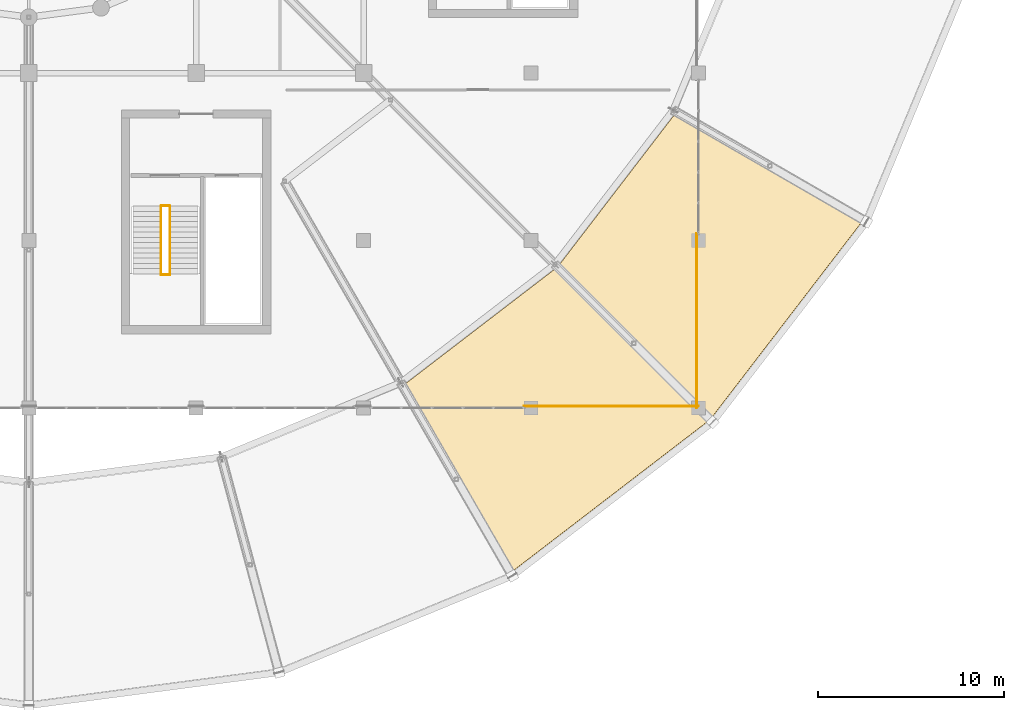
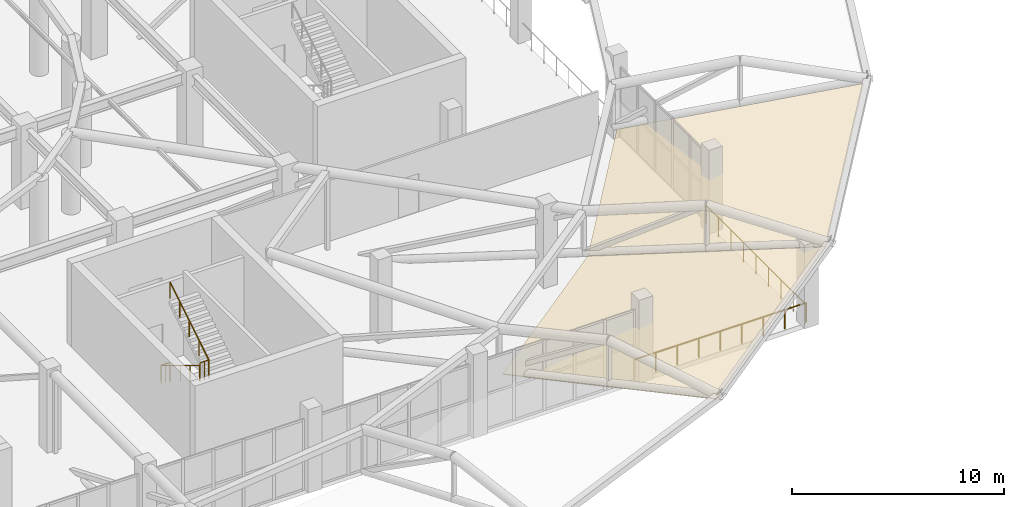
# One storey, part 153 of 167: 6 railings, 2 coverings.
"""IFC4 building model written with IfcOpenShell, lengths in metres."""

from ifc_helpers import new_model, si_unit, direction, frame, origin, origin_2d, place, context, subcontext, project, spatial, polyline, circle, outline, extrude, material, layer, layer_set, type_object, element, save


model = new_model("IFC4")

# Units and contexts
model_context = context("Model", 3, precision=1e-05, world=origin(), true_north=direction((0.0, 1.0)))
body_context = subcontext(model_context, "Body", "Model", "MODEL_VIEW")
ifc_project = project(units=[si_unit("LENGTHUNIT", "METRE"), si_unit("AREAUNIT", "SQUARE_METRE"), si_unit("VOLUMEUNIT", "CUBIC_METRE"), si_unit("PLANEANGLEUNIT", "RADIAN"), si_unit("MASSUNIT", "GRAM", prefix="KILO")], contexts=[model_context])

# Site, building, storey
site_placement = place(None, origin())
site = spatial("IfcSite", under=ifc_project, at=site_placement, CompositionType="ELEMENT")
building_placement = place(site_placement, origin())
building = spatial("IfcBuilding", under=site, at=building_placement, Name="Dornveld Trade and Exhibition Forum", CompositionType="ELEMENT")
storey_placement = place(building_placement, frame((0.0, 0.0, 16.800048828125)))
storey = spatial("IfcBuildingStorey", under=building, at=storey_placement, Name="L03", CompositionType="ELEMENT", Elevation=16.800048828125)

# Coverings
ifc_material_1 = material(Name="Acoustic perforated aluminium soffit panel", Category="aluminium")
ifc_layer = layer(ifc_material_1, 0.044921875)
ifc_layer_set = layer_set([ifc_layer], Name="Acoustic perforated aluminium soffit panel")
covering_type = type_object("IfcCoveringType", Name="COV-SOFFIT-DISC", PredefinedType="CEILING", material=ifc_layer_set)
covering_1_placement = place(storey_placement, frame((137.10009765625, 46.185791015625, 1.9111328125), z_axis=(-0.135870052813, 0.177072359886, 0.974774183138), x_axis=(0.487581622675, -0.844544884313, 0.221377730608)))
element("IfcCovering", 1, at=covering_1_placement, inside=storey, type_object=covering_type, Name="Floating disc conical soffit panel 21", PredefinedType="CEILING", context=body_context, shape_type="SweptSolid", body=[
    extrude(outline(polyline([(0.0, 0.0), (11.895044465416484, 1.3877787807814457e-17), (10.17371507966031, 13.412589790196648), (-1.33586364535027, 10.408865670263626), (0.0, 0.0)])), origin(), (0.0, 0.0, -1.0), 0.044921875),
])
covering_2_placement = place(storey_placement, frame((145.42578125, 52.57421875, 1.9111328125), z_axis=(-0.177072359886, 0.135870052813, 0.974774183138), x_axis=(0.68956214752, -0.689562157584, 0.221377676236)))
element("IfcCovering", 2, at=covering_2_placement, inside=storey, type_object=covering_type, Name="Floating disc conical soffit panel 22", PredefinedType="CEILING", context=body_context, shape_type="SweptSolid", body=[
    extrude(outline(polyline([(0.0, 0.0), (11.895072972280731, -2.7755575615628914e-17), (10.173692747521988, 13.412583265581787), (-1.3358583944717388, 10.408866344154898), (0.0, 0.0)])), origin(), (0.0, 0.0, -1.0), 0.044921875),
])

# Railings
ifc_material_2 = material(Name="Dark-bronze steel and laminated glass balustrade", Category="steel")
railing_type_1 = type_object("IfcRailingType", Name="RL-BALUST-CONC", PredefinedType="BALUSTRADE", material=ifc_material_2)
railing_1_placement = place(storey_placement, frame((152.89990234375, 54.37109375, 0.0)))
element("IfcRailing", 3, at=railing_1_placement, inside=storey, type_object=railing_type_1, Name="L03 deck edge balustrade 191", PredefinedType="BALUSTRADE", context=body_context, shape_type="SweptSolid", body=[
    extrude(circle(Radius=0.02490234375, at=origin_2d()), frame((0.0, 0.0, 1.09521484375), z_axis=(0.0, -1.0, 0.0), x_axis=(1.0, 0.0, 0.0)), (0.0, 0.0, 1.0), 9.37109375),
    extrude(circle(Radius=0.02099609375, at=origin_2d()), origin(), (0.0, 0.0, 1.0), 1.070068359375),
    extrude(circle(Radius=0.02099609375, at=origin_2d()), frame((0.0, -1.17138671875, 0.0)), (0.0, 0.0, 1.0), 1.070068359375),
    extrude(circle(Radius=0.02099609375, at=origin_2d()), frame((0.0, -2.3427734375, 0.0)), (0.0, 0.0, 1.0), 1.070068359375),
    extrude(circle(Radius=0.02099609375, at=origin_2d()), frame((0.0, -3.51416015625, 0.0)), (0.0, 0.0, 1.0), 1.070068359375),
    extrude(circle(Radius=0.02099609375, at=origin_2d()), frame((0.0, -4.685546875, 0.0)), (0.0, 0.0, 1.0), 1.070068359375),
    extrude(circle(Radius=0.02099609375, at=origin_2d()), frame((0.0, -5.85693359375, 0.0)), (0.0, 0.0, 1.0), 1.070068359375),
    extrude(circle(Radius=0.02099609375, at=origin_2d()), frame((0.0, -7.0283203125, 0.0)), (0.0, 0.0, 1.0), 1.070068359375),
    extrude(circle(Radius=0.02099609375, at=origin_2d()), frame((0.0, -8.19970703125, 0.0)), (0.0, 0.0, 1.0), 1.070068359375),
    extrude(circle(Radius=0.02099609375, at=origin_2d()), frame((0.0, -9.37109375, 0.0)), (0.0, 0.0, 1.0), 1.070068359375),
])
railing_2_placement = place(storey_placement, frame((153.0, 45.10009765625, 0.0)))
element("IfcRailing", 4, at=railing_2_placement, inside=storey, type_object=railing_type_1, Name="L03 deck edge balustrade 192", PredefinedType="BALUSTRADE", context=body_context, shape_type="SweptSolid", body=[
    extrude(circle(Radius=0.02490234375, at=origin_2d()), frame((0.0, 0.0, 1.09521484375), z_axis=(-1.0, 0.0, 0.0), x_axis=(0.0, -1.0, 0.0)), (0.0, 0.0, 1.0), 9.37109375),
    extrude(circle(Radius=0.02099609375, at=origin_2d()), origin(), (0.0, 0.0, 1.0), 1.070068359375),
    extrude(circle(Radius=0.02099609375, at=origin_2d()), frame((-1.17138671875, 0.0, 0.0)), (0.0, 0.0, 1.0), 1.070068359375),
    extrude(circle(Radius=0.02099609375, at=origin_2d()), frame((-2.3427734375, 0.0, 0.0)), (0.0, 0.0, 1.0), 1.070068359375),
    extrude(circle(Radius=0.02099609375, at=origin_2d()), frame((-3.51416015625, 0.0, 0.0)), (0.0, 0.0, 1.0), 1.070068359375),
    extrude(circle(Radius=0.02099609375, at=origin_2d()), frame((-4.685546875, 0.0, 0.0)), (0.0, 0.0, 1.0), 1.070068359375),
    extrude(circle(Radius=0.02099609375, at=origin_2d()), frame((-5.85693359375, 0.0, 0.0)), (0.0, 0.0, 1.0), 1.070068359375),
    extrude(circle(Radius=0.02099609375, at=origin_2d()), frame((-7.0283203125, 0.0, 0.0)), (0.0, 0.0, 1.0), 1.070068359375),
    extrude(circle(Radius=0.02099609375, at=origin_2d()), frame((-8.19970703125, 0.0, 0.0)), (0.0, 0.0, 1.0), 1.070068359375),
    extrude(circle(Radius=0.02099609375, at=origin_2d()), frame((-9.37109375, 0.0, 0.0)), (0.0, 0.0, 1.0), 1.070068359375),
])
ifc_material_3 = material(Name="Brushed stainless steel handrail", Category="steel")
railing_type_2 = type_object("IfcRailingType", Name="RL-HAND-920", PredefinedType="HANDRAIL", material=ifc_material_3)
railing_3_placement = place(storey_placement, frame((124.10498046875, 55.85009765625, 0.17138671875)))
element("IfcRailing", 5, at=railing_3_placement, inside=storey, type_object=railing_type_2, Name="ST-07-L03 flight 1 handrail", PredefinedType="HANDRAIL", context=body_context, shape_type="SweptSolid", body=[
    extrude(circle(Radius=0.02099609375, at=origin_2d()), frame((0.0, 0.0, 0.89892578125), z_axis=(0.0, -0.852865859571, 0.52213008492), x_axis=(1.0, 0.0, 0.0)), (0.0, 0.0, 1.0), 4.26806640625),
    extrude(circle(Radius=0.01806640625, at=origin_2d()), origin(), (0.0, 0.0, 1.0), 0.8779296875),
    extrude(circle(Radius=0.01806640625, at=origin_2d()), frame((0.0, -0.91015625, 0.55712890625)), (0.0, 0.0, 1.0), 0.8779296875),
    extrude(circle(Radius=0.01806640625, at=origin_2d()), frame((0.0, -1.820068359375, 1.1142578125)), (0.0, 0.0, 1.0), 0.8779296875),
    extrude(circle(Radius=0.01806640625, at=origin_2d()), frame((0.0, -2.72998046875, 1.67138671875)), (0.0, 0.0, 1.0), 0.8779296875),
    extrude(circle(Radius=0.01806640625, at=origin_2d()), frame((0.0, -3.64013671875, 2.228515625)), (0.0, 0.0, 1.0), 0.8779296875),
])
railing_4_placement = place(storey_placement, frame((124.594970703125, 52.2099609375, 2.5712890625)))
element("IfcRailing", 6, at=railing_4_placement, inside=storey, type_object=railing_type_2, Name="ST-07-L03 flight 2 handrail", PredefinedType="HANDRAIL", context=body_context, shape_type="SweptSolid", body=[
    extrude(circle(Radius=0.02099609375, at=origin_2d()), frame((0.0, 0.0, 0.89892578125), z_axis=(0.0, 0.852840387347, 0.522171689878), x_axis=(-1.0, 0.0, 0.0)), (0.0, 0.0, 1.0), 4.268310546875),
    extrude(circle(Radius=0.01806640625, at=origin_2d()), origin(), (0.0, 0.0, 1.0), 0.8779296875),
    extrude(circle(Radius=0.01806640625, at=origin_2d()), frame((0.0, 0.91015625, 0.55712890625)), (0.0, 0.0, 1.0), 0.8779296875),
    extrude(circle(Radius=0.01806640625, at=origin_2d()), frame((0.0, 1.820068359375, 1.1142578125)), (0.0, 0.0, 1.0), 0.8779296875),
    extrude(circle(Radius=0.01806640625, at=origin_2d()), frame((0.0, 2.72998046875, 1.671630859375)), (0.0, 0.0, 1.0), 0.8779296875),
    extrude(circle(Radius=0.01806640625, at=origin_2d()), frame((0.0, 3.64013671875, 2.228759765625)), (0.0, 0.0, 1.0), 0.8779296875),
])
ifc_material_4 = material(Name="Painted steel S355J2 stair-well guard", Category="steel")
railing_type_3 = type_object("IfcRailingType", Name="RL-WELL-110", PredefinedType="GUARDRAIL", material=ifc_material_4)
railing_5_placement = place(storey_placement, frame((124.10498046875, 52.159912109375, 2.39990234375)))
element("IfcRailing", 7, at=railing_5_placement, inside=storey, type_object=railing_type_3, Name="ST-07-L03 half-landing well guard", PredefinedType="GUARDRAIL", context=body_context, shape_type="SweptSolid", body=[
    extrude(circle(Radius=0.02392578125, at=origin_2d()), frame((0.0, 0.0, 1.076171875), z_axis=(1.0, 0.0, 0.0), x_axis=(0.0, 1.0, 0.0)), (0.0, 0.0, 1.0), 0.489990234375),
    extrude(circle(Radius=0.02001953125, at=origin_2d()), origin(), (0.0, 0.0, 1.0), 1.052001953125),
    extrude(circle(Radius=0.02001953125, at=origin_2d()), frame((0.2451171875, 0.0, 0.0)), (0.0, 0.0, 1.0), 1.052001953125),
    extrude(circle(Radius=0.02001953125, at=origin_2d()), frame((0.489990234375, 0.0, 0.0)), (0.0, 0.0, 1.0), 1.052001953125),
])
railing_6_placement = place(storey_placement, frame((124.135009765625, 55.8701171875, 0.0)))
element("IfcRailing", 8, at=railing_6_placement, inside=storey, type_object=railing_type_3, Name="CORE-07 L03 stair-slot floor guard", PredefinedType="GUARDRAIL", context=body_context, shape_type="SweptSolid", body=[
    extrude(circle(Radius=0.02392578125, at=origin_2d()), frame((0.0, 0.0, 1.076171875), z_axis=(1.0, 0.0, 0.0), x_axis=(0.0, 1.0, 0.0)), (0.0, 0.0, 1.0), 0.429931640625),
    extrude(circle(Radius=0.02001953125, at=origin_2d()), origin(), (0.0, 0.0, 1.0), 1.052001953125),
    extrude(circle(Radius=0.02001953125, at=origin_2d()), frame((0.21484375, 0.0, 0.0)), (0.0, 0.0, 1.0), 1.052001953125),
    extrude(circle(Radius=0.02001953125, at=origin_2d()), frame((0.429931640625, 0.0, 0.0)), (0.0, 0.0, 1.0), 1.052001953125),
])

save(model, "model.ifc")
